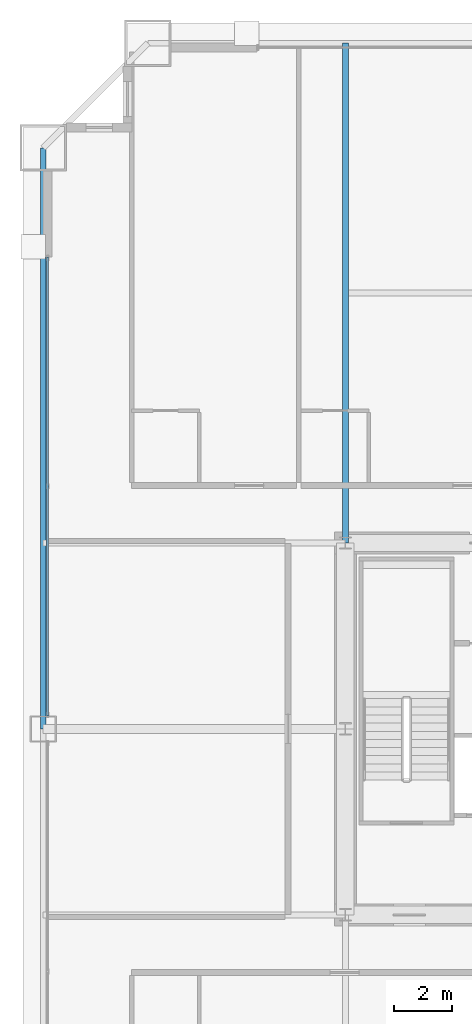
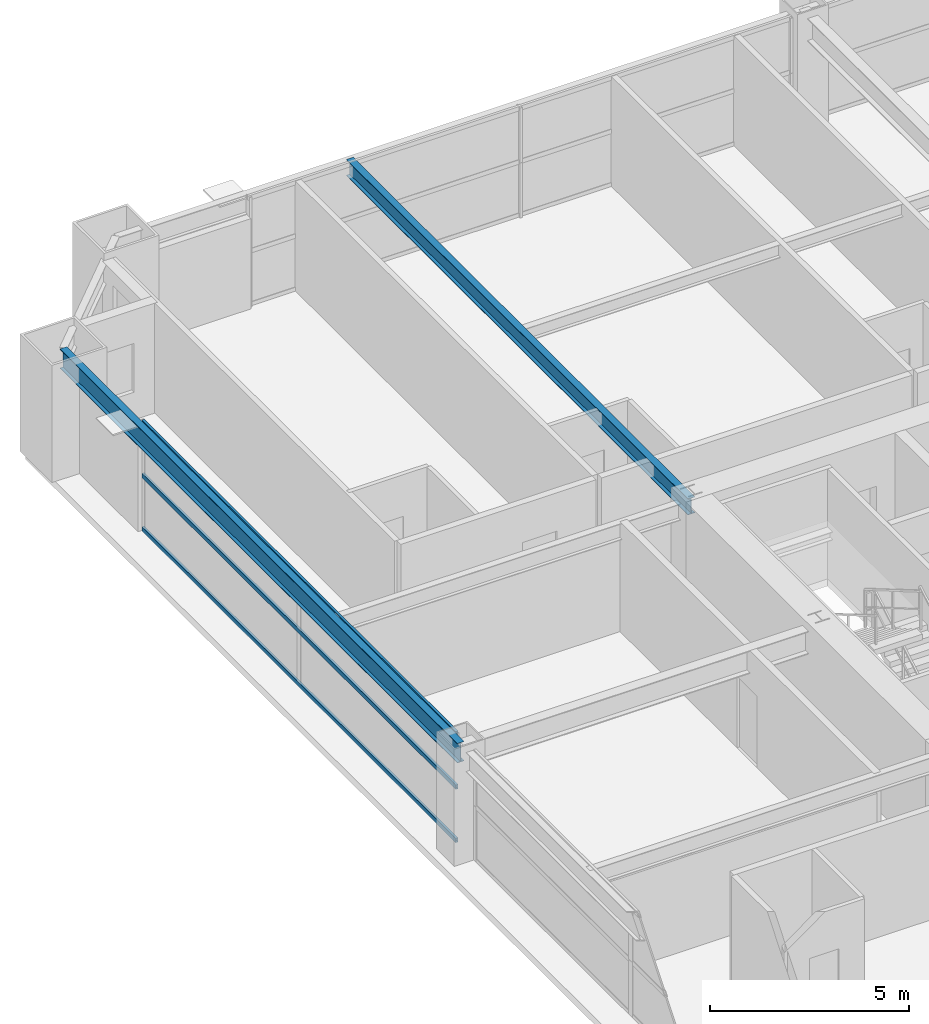
# One storey, part 21 of 38: 3 members, 2 beams, 1 element without a shape of its own.
"""IFC4 building model written with IfcOpenShell, lengths in metres."""

from ifc_helpers import new_model, si_unit, direction, frame, origin, origin_2d, place, context, subcontext, project, spatial, hollow_rectangle, i_section, extrude, source, transform, mapped, material, layer, layer_set, material_profile, profile_set, type_object, element, aggregate, save


model = new_model("IFC4")

# Units and contexts
model_context = context("Model", 3, precision=1e-05, world=origin(), true_north=direction((0.0, 1.0)))
body_context = subcontext(model_context, "Body", "Model", "MODEL_VIEW")
ifc_project = project(units=[si_unit("LENGTHUNIT", "METRE"), si_unit("AREAUNIT", "SQUARE_METRE"), si_unit("VOLUMEUNIT", "CUBIC_METRE"), si_unit("PLANEANGLEUNIT", "RADIAN"), si_unit("MASSUNIT", "GRAM", prefix="KILO"), si_unit("THERMODYNAMICTEMPERATUREUNIT", "KELVIN"), si_unit("POWERUNIT", "WATT")], contexts=[model_context])

# Site, building, storey
site_placement = place(None, origin())
site = spatial("IfcSite", under=ifc_project, at=site_placement, CompositionType="ELEMENT")
building_placement = place(site_placement, origin())
building = spatial("IfcBuilding", under=site, at=building_placement, Name="Yuzanri Waterfront Tower", CompositionType="ELEMENT")
storey_placement = place(building_placement, frame((0.0, 0.0, 111.800048828125)))
storey = spatial("IfcBuildingStorey", under=building, at=storey_placement, Name="L29", CompositionType="ELEMENT", Elevation=111.800048828125)

# Beams
ifc_material_1 = material(Name="Steel Q355B", Category="steel")
ifc_material_profile_1 = material_profile(ifc_material_1, i_section(OverallWidth=0.199951171875, OverallDepth=0.60009765625, WebThickness=0.010986328125, FlangeThickness=0.01708984375, at=origin_2d()), Name="HN 600x200x11x17")
ifc_profile_set_1 = profile_set([ifc_material_profile_1], Name="Steel Q355B")
beam_type_1 = type_object("IfcBeamType", Name="Perimeter Spandrel Q355B HN 600x200", PredefinedType="SPANDREL", material=ifc_profile_set_1)
shared_shape_1 = source(origin(), body_context, "Body", "SweptSolid", [
    extrude(i_section(OverallWidth=0.199951171875, OverallDepth=0.60009765625, WebThickness=0.010986328125, FlangeThickness=0.01708984375, at=origin_2d()), origin(), (0.0, 0.0, 1.0), 20.0),
])
beam_1_placement = place(storey_placement, frame((13.39990234375, 45.800048828125, 3.079833984375), z_axis=(0.0, -1.0, 0.0), x_axis=(1.0, 0.0, 0.0)))
element("IfcBeam", 1, at=beam_1_placement, inside=storey, type_object=beam_type_1, Name="L29 Perimeter Spandrel W3-W2", PredefinedType="SPANDREL", context=body_context, shape_type="MappedRepresentation", body=[
    mapped(shared_shape_1, transform((0.0, 0.0, 0.0), scale=1.0)),
])
ifc_material_2 = material(Name="Steel Q355B", Category="steel")
ifc_material_profile_2 = material_profile(ifc_material_2, i_section(OverallWidth=0.199951171875, OverallDepth=0.5, WebThickness=0.010009765625, FlangeThickness=0.01611328125, at=origin_2d()), Name="HN 500x200x10x16")
ifc_profile_set_2 = profile_set([ifc_material_profile_2], Name="Steel Q355B")
beam_type_2 = type_object("IfcBeamType", Name="Secondary Floor Beam Q355B HN 500x200", PredefinedType="BEAM", material=ifc_profile_set_2)
shared_shape_2 = source(origin(), body_context, "Body", "SweptSolid", [
    extrude(i_section(OverallWidth=0.199951171875, OverallDepth=0.5, WebThickness=0.010009765625, FlangeThickness=0.01611328125, at=origin_2d()), origin(), (0.0, 0.0, 1.0), 17.199951171875),
])
beam_2_placement = place(storey_placement, frame((23.800048828125, 32.199951171875, 3.1298828125), z_axis=(0.0, 1.0, 0.0), x_axis=(-1.0, 0.0, 0.0)))
element("IfcBeam", 2, at=beam_2_placement, inside=storey, type_object=beam_type_2, Name="L29 North-West Core Line Beam", PredefinedType="BEAM", context=body_context, shape_type="MappedRepresentation", body=[
    mapped(shared_shape_2, transform((0.0, 0.0, 0.0), scale=1.0)),
])

# Curtain wall, members
ifc_material_3 = material(Name="Anodized Architectural Bronze", Category="metal")
ifc_layer = layer(ifc_material_3, 0.159912109375)
ifc_layer_set = layer_set([ifc_layer], Name="Anodized Architectural Bronze")
curtain_wall_type = type_object("IfcCurtainWallType", Name="Anodized Bronze Hotel Upper-Tier Solar-Control Unitized Curtain Wall 7800", PredefinedType="NOTDEFINED", material=ifc_layer_set)
curtain_wall_placement = place(storey_placement, origin())
curtain_wall = element("IfcCurtainWall", 3, at=curtain_wall_placement, inside=storey, type_object=curtain_wall_type, Name="L29 Curtain Wall CW-L29-WR", PredefinedType="NOTDEFINED")
ifc_material_4 = material(Name="Anodized Architectural Bronze", Category="metal")
ifc_material_profile_3 = material_profile(ifc_material_4, hollow_rectangle(XDim=0.070068359375, YDim=0.135009765625, WallThickness=0.00341796875, at=origin_2d()), Name="CWT 70x135")
ifc_profile_set_3 = profile_set([ifc_material_profile_3], Name="Anodized Architectural Bronze")
member_type = type_object("IfcMemberType", Name="Anodized Bronze Standard Curtain-Wall Transom 70x135", PredefinedType="USERDEFINED", material=ifc_profile_set_3)
shared_shape_3 = source(origin(), body_context, "Body", "SweptSolid", [
    extrude(hollow_rectangle(XDim=0.070068359375, YDim=0.135009765625, WallThickness=0.00341796875, at=origin_2d()), origin(), (0.0, 0.0, 1.0), 15.800048828125),
])
member_1_placement = place(storey_placement, frame((13.550048828125, 26.25, 0.050048828125), z_axis=(0.0, 1.0, 0.0), x_axis=(-1.0, 0.0, 0.0)))
member_1 = element("IfcMember", 4, at=member_1_placement, type_object=member_type, Name="CW-L29-WR Transom 1", ObjectType="TRANSOM", PredefinedType="USERDEFINED", context=body_context, shape_type="MappedRepresentation", body=[
    mapped(shared_shape_3, transform((0.0, 0.0, 0.0), scale=1.0)),
])
member_2_placement = place(storey_placement, frame((13.550048828125, 26.25, 1.68994140625), z_axis=(0.0, 1.0, 0.0), x_axis=(-1.0, 0.0, 0.0)))
member_2 = element("IfcMember", 5, at=member_2_placement, type_object=member_type, Name="CW-L29-WR Transom 2", ObjectType="TRANSOM", PredefinedType="USERDEFINED", context=body_context, shape_type="MappedRepresentation", body=[
    mapped(shared_shape_3, transform((0.0, 0.0, 0.0), scale=1.0)),
])
member_3_placement = place(storey_placement, frame((13.550048828125, 26.25, 3.329833984375), z_axis=(0.0, 1.0, 0.0), x_axis=(-1.0, 0.0, 0.0)))
member_3 = element("IfcMember", 6, at=member_3_placement, type_object=member_type, Name="CW-L29-WR Transom 3", ObjectType="TRANSOM", PredefinedType="USERDEFINED", context=body_context, shape_type="MappedRepresentation", body=[
    mapped(shared_shape_3, transform((0.0, 0.0, 0.0), scale=1.0)),
])
aggregate(curtain_wall, [member_1, member_2, member_3])

save(model, "model.ifc")
